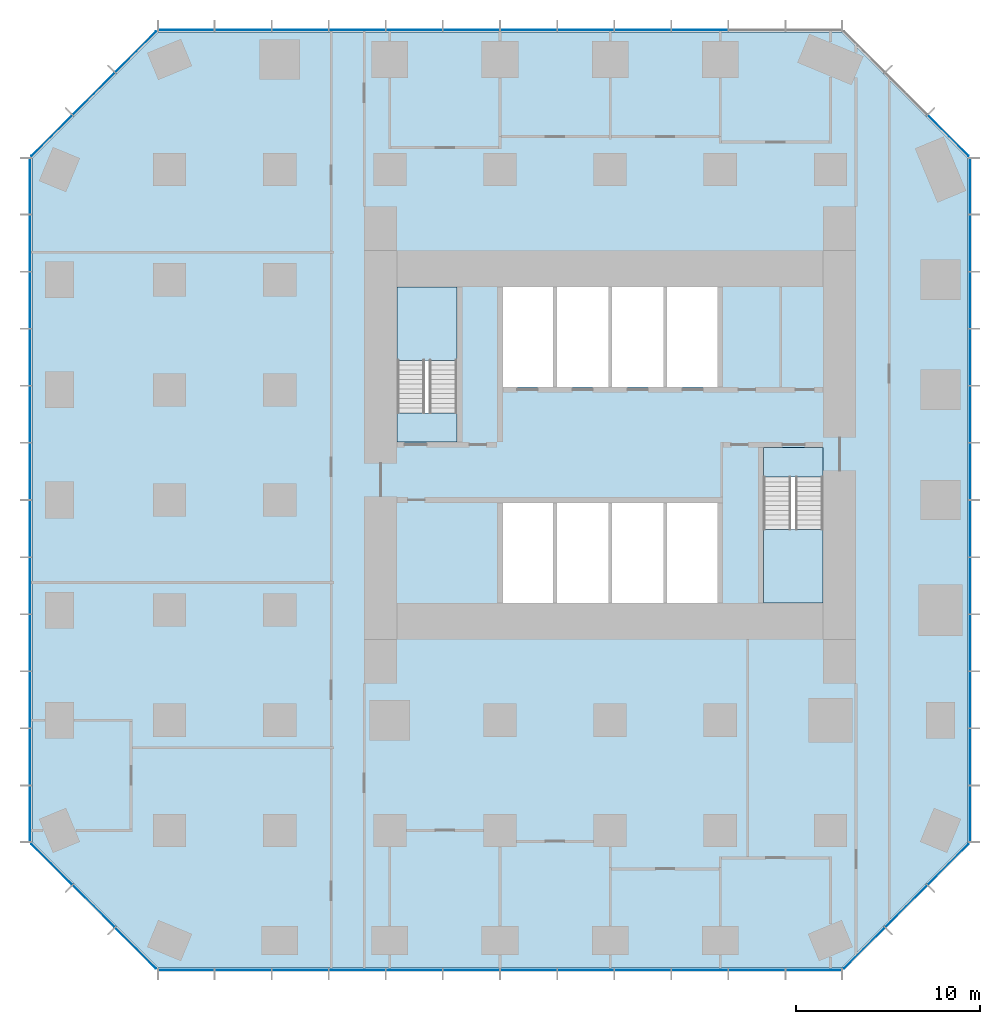
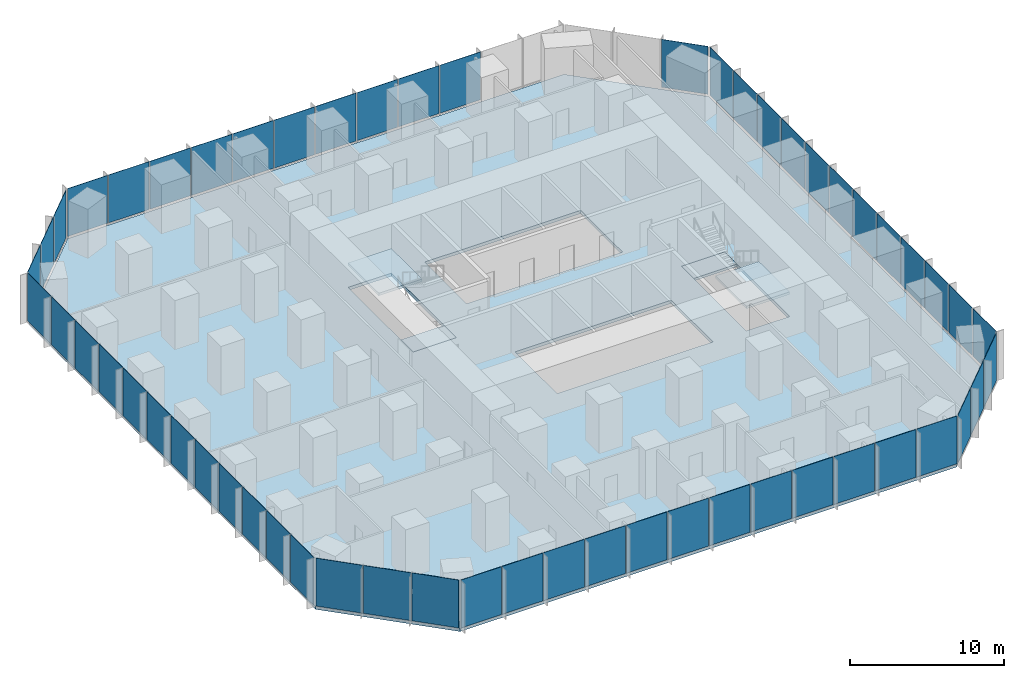
# One storey, part 7 of 11: 56 plates, 5 slabs, 10 elements without a shape of their own.
"""IFC4 building model written with IfcOpenShell, lengths in metres."""

from ifc_helpers import new_model, si_unit, direction, frame, origin, origin_2d, place, context, subcontext, project, spatial, polyline, rectangle, outline, extrude, material, layer, layer_set, type_object, element, aggregate, save


model = new_model("IFC4")

# Units and contexts
model_context = context("Model", 3, precision=1e-05, world=origin(), true_north=direction((0.0, 1.0)))
body_context = subcontext(model_context, "Body", "Model", "MODEL_VIEW")
ifc_project = project(units=[si_unit("LENGTHUNIT", "METRE"), si_unit("AREAUNIT", "SQUARE_METRE"), si_unit("VOLUMEUNIT", "CUBIC_METRE"), si_unit("PLANEANGLEUNIT", "RADIAN"), si_unit("MASSUNIT", "GRAM", prefix="KILO")], contexts=[model_context])

# Site, building, storey
site_placement = place(None, origin())
site = spatial("IfcSite", under=ifc_project, at=site_placement, CompositionType="ELEMENT")
building_placement = place(site_placement, origin())
building = spatial("IfcBuilding", under=site, at=building_placement, Name="Highveld Stack Headquarters", CompositionType="ELEMENT")
storey_placement = place(building_placement, frame((0.0, 0.0, 33.800048828125)))
storey = spatial("IfcBuildingStorey", under=building, at=storey_placement, Name="L07", CompositionType="ELEMENT", Elevation=33.800048828125)

# Curtain wall, plates
ifc_material_1 = material(Name="Aluminium bronze anodised", Category="aluminium")
ifc_layer_1 = layer(ifc_material_1, 0.199951171875)
ifc_layer_set_1 = layer_set([ifc_layer_1], Name="Aluminium bronze anodised")
curtain_wall_type_1 = type_object("IfcCurtainWallType", Name="CW1 TOWER UNITISED CURTAIN WALL", PredefinedType="NOTDEFINED", material=ifc_layer_set_1)
curtain_wall_1_placement = place(storey_placement, origin())
curtain_wall_1 = element("IfcCurtainWall", 1, at=curtain_wall_1_placement, inside=storey, type_object=curtain_wall_type_1, Name="Curtain wall CW1 L07 S", PredefinedType="NOTDEFINED")
ifc_material_2 = material(Name="Glass bronze tinted double glazed unit", Category="glass")
ifc_layer_2 = layer(ifc_material_2, 0.028076171875)
ifc_layer_set_2 = layer_set([ifc_layer_2], Name="Glass bronze tinted double glazed unit")
plate_type_1 = type_object("IfcPlateType", Name="CW1 PANEL BRONZE TINTED DOUBLE GLAZED UNIT", PredefinedType="CURTAIN_PANEL", material=ifc_layer_set_2)
plate_1_placement = place(storey_placement, frame((-17.09130859375, -25.60009765625, 0.10009765625), z_axis=(0.0, 0.0, 1.0), x_axis=(1.0, 0.0, 0.0)))
plate_1 = element("IfcPlate", 2, at=plate_1_placement, type_object=plate_type_1, Name="CW1 panel L07 1.1", PredefinedType="CURTAIN_PANEL", context=body_context, shape_type="SweptSolid", body=[
    extrude(rectangle(XDim=3.012939453125, YDim=0.028076171875, at=origin_2d()), origin(), (0.0, 0.0, 1.0), 3.800048828125),
])
plate_2_placement = place(storey_placement, frame((-13.9970703125, -25.60009765625, 0.10009765625), z_axis=(0.0, 0.0, 1.0), x_axis=(1.0, 0.0, 0.0)))
plate_2 = element("IfcPlate", 3, at=plate_2_placement, type_object=plate_type_1, Name="CW1 panel L07 2.1", PredefinedType="CURTAIN_PANEL", context=body_context, shape_type="SweptSolid", body=[
    extrude(rectangle(XDim=3.04541015625, YDim=0.028076171875, at=origin_2d()), origin(), (0.0, 0.0, 1.0), 3.800048828125),
])
plate_3_placement = place(storey_placement, frame((-10.88671875, -25.60009765625, 0.10009765625), z_axis=(0.0, 0.0, 1.0), x_axis=(1.0, 0.0, 0.0)))
plate_3 = element("IfcPlate", 4, at=plate_3_placement, type_object=plate_type_1, Name="CW1 panel L07 3.1", PredefinedType="CURTAIN_PANEL", context=body_context, shape_type="SweptSolid", body=[
    extrude(rectangle(XDim=3.04541015625, YDim=0.028076171875, at=origin_2d()), origin(), (0.0, 0.0, 1.0), 3.800048828125),
])
plate_4_placement = place(storey_placement, frame((-7.776123046875, -25.60009765625, 0.10009765625), z_axis=(0.0, 0.0, 1.0), x_axis=(1.0, 0.0, 0.0)))
plate_4 = element("IfcPlate", 5, at=plate_4_placement, type_object=plate_type_1, Name="CW1 panel L07 4.1", PredefinedType="CURTAIN_PANEL", context=body_context, shape_type="SweptSolid", body=[
    extrude(rectangle(XDim=3.04541015625, YDim=0.028076171875, at=origin_2d()), origin(), (0.0, 0.0, 1.0), 3.800048828125),
])
plate_5_placement = place(storey_placement, frame((-4.665771484375, -25.60009765625, 0.10009765625), z_axis=(0.0, 0.0, 1.0), x_axis=(1.0, 0.0, 0.0)))
plate_5 = element("IfcPlate", 6, at=plate_5_placement, type_object=plate_type_1, Name="CW1 panel L07 5.1", PredefinedType="CURTAIN_PANEL", context=body_context, shape_type="SweptSolid", body=[
    extrude(rectangle(XDim=3.04541015625, YDim=0.028076171875, at=origin_2d()), origin(), (0.0, 0.0, 1.0), 3.800048828125),
])
plate_6_placement = place(storey_placement, frame((-1.55517578125, -25.60009765625, 0.10009765625), z_axis=(0.0, 0.0, 1.0), x_axis=(1.0, 0.0, 0.0)))
plate_6 = element("IfcPlate", 7, at=plate_6_placement, type_object=plate_type_1, Name="CW1 panel L07 6.1", PredefinedType="CURTAIN_PANEL", context=body_context, shape_type="SweptSolid", body=[
    extrude(rectangle(XDim=3.04541015625, YDim=0.028076171875, at=origin_2d()), origin(), (0.0, 0.0, 1.0), 3.800048828125),
])
plate_7_placement = place(storey_placement, frame((1.55517578125, -25.60009765625, 0.10009765625), z_axis=(0.0, 0.0, 1.0), x_axis=(1.0, 0.0, 0.0)))
plate_7 = element("IfcPlate", 8, at=plate_7_placement, type_object=plate_type_1, Name="CW1 panel L07 7.1", PredefinedType="CURTAIN_PANEL", context=body_context, shape_type="SweptSolid", body=[
    extrude(rectangle(XDim=3.04541015625, YDim=0.028076171875, at=origin_2d()), origin(), (0.0, 0.0, 1.0), 3.800048828125),
])
plate_8_placement = place(storey_placement, frame((4.665771484375, -25.60009765625, 0.10009765625), z_axis=(0.0, 0.0, 1.0), x_axis=(1.0, 0.0, 0.0)))
plate_8 = element("IfcPlate", 9, at=plate_8_placement, type_object=plate_type_1, Name="CW1 panel L07 8.1", PredefinedType="CURTAIN_PANEL", context=body_context, shape_type="SweptSolid", body=[
    extrude(rectangle(XDim=3.04541015625, YDim=0.028076171875, at=origin_2d()), origin(), (0.0, 0.0, 1.0), 3.800048828125),
])
plate_9_placement = place(storey_placement, frame((7.776123046875, -25.60009765625, 0.10009765625), z_axis=(0.0, 0.0, 1.0), x_axis=(1.0, 0.0, 0.0)))
plate_9 = element("IfcPlate", 10, at=plate_9_placement, type_object=plate_type_1, Name="CW1 panel L07 9.1", PredefinedType="CURTAIN_PANEL", context=body_context, shape_type="SweptSolid", body=[
    extrude(rectangle(XDim=3.04541015625, YDim=0.028076171875, at=origin_2d()), origin(), (0.0, 0.0, 1.0), 3.800048828125),
])
plate_10_placement = place(storey_placement, frame((10.88671875, -25.60009765625, 0.10009765625), z_axis=(0.0, 0.0, 1.0), x_axis=(1.0, 0.0, 0.0)))
plate_10 = element("IfcPlate", 11, at=plate_10_placement, type_object=plate_type_1, Name="CW1 panel L07 10.1", PredefinedType="CURTAIN_PANEL", context=body_context, shape_type="SweptSolid", body=[
    extrude(rectangle(XDim=3.04541015625, YDim=0.028076171875, at=origin_2d()), origin(), (0.0, 0.0, 1.0), 3.800048828125),
])
plate_11_placement = place(storey_placement, frame((13.9970703125, -25.60009765625, 0.10009765625), z_axis=(0.0, 0.0, 1.0), x_axis=(1.0, 0.0, 0.0)))
plate_11 = element("IfcPlate", 12, at=plate_11_placement, type_object=plate_type_1, Name="CW1 panel L07 11.1", PredefinedType="CURTAIN_PANEL", context=body_context, shape_type="SweptSolid", body=[
    extrude(rectangle(XDim=3.04541015625, YDim=0.028076171875, at=origin_2d()), origin(), (0.0, 0.0, 1.0), 3.800048828125),
])
plate_12_placement = place(storey_placement, frame((17.09130859375, -25.60009765625, 0.10009765625), z_axis=(0.0, 0.0, 1.0), x_axis=(1.0, 0.0, 0.0)))
plate_12 = element("IfcPlate", 13, at=plate_12_placement, type_object=plate_type_1, Name="CW1 panel L07 12.1", PredefinedType="CURTAIN_PANEL", context=body_context, shape_type="SweptSolid", body=[
    extrude(rectangle(XDim=3.012939453125, YDim=0.028076171875, at=origin_2d()), origin(), (0.0, 0.0, 1.0), 3.800048828125),
])
aggregate(curtain_wall_1, [plate_1, plate_2, plate_3, plate_4, plate_5, plate_6, plate_7, plate_8, plate_9, plate_10, plate_11, plate_12])

curtain_wall_2_placement = place(storey_placement, origin())
curtain_wall_2 = element("IfcCurtainWall", 14, at=curtain_wall_2_placement, inside=storey, type_object=curtain_wall_type_1, Name="Curtain wall CW1 L07 E", PredefinedType="NOTDEFINED")
plate_13_placement = place(storey_placement, frame((25.60009765625, -17.09130859375, 0.10009765625), z_axis=(0.0, 0.0, 1.0), x_axis=(0.0, 1.0, 0.0)))
plate_13 = element("IfcPlate", 15, at=plate_13_placement, type_object=plate_type_1, Name="CW1 panel L07 1.1", PredefinedType="CURTAIN_PANEL", context=body_context, shape_type="SweptSolid", body=[
    extrude(rectangle(XDim=3.012939453125, YDim=0.028076171875, at=origin_2d()), origin(), (0.0, 0.0, 1.0), 3.800048828125),
])
plate_14_placement = place(storey_placement, frame((25.60009765625, -13.9970703125, 0.10009765625), z_axis=(0.0, 0.0, 1.0), x_axis=(0.0, 1.0, 0.0)))
plate_14 = element("IfcPlate", 16, at=plate_14_placement, type_object=plate_type_1, Name="CW1 panel L07 2.1", PredefinedType="CURTAIN_PANEL", context=body_context, shape_type="SweptSolid", body=[
    extrude(rectangle(XDim=3.04541015625, YDim=0.028076171875, at=origin_2d()), origin(), (0.0, 0.0, 1.0), 3.800048828125),
])
plate_15_placement = place(storey_placement, frame((25.60009765625, -10.88671875, 0.10009765625), z_axis=(0.0, 0.0, 1.0), x_axis=(0.0, 1.0, 0.0)))
plate_15 = element("IfcPlate", 17, at=plate_15_placement, type_object=plate_type_1, Name="CW1 panel L07 3.1", PredefinedType="CURTAIN_PANEL", context=body_context, shape_type="SweptSolid", body=[
    extrude(rectangle(XDim=3.04541015625, YDim=0.028076171875, at=origin_2d()), origin(), (0.0, 0.0, 1.0), 3.800048828125),
])
plate_16_placement = place(storey_placement, frame((25.60009765625, -7.776123046875, 0.10009765625), z_axis=(0.0, 0.0, 1.0), x_axis=(0.0, 1.0, 0.0)))
plate_16 = element("IfcPlate", 18, at=plate_16_placement, type_object=plate_type_1, Name="CW1 panel L07 4.1", PredefinedType="CURTAIN_PANEL", context=body_context, shape_type="SweptSolid", body=[
    extrude(rectangle(XDim=3.04541015625, YDim=0.028076171875, at=origin_2d()), origin(), (0.0, 0.0, 1.0), 3.800048828125),
])
plate_17_placement = place(storey_placement, frame((25.60009765625, -4.665771484375, 0.10009765625), z_axis=(0.0, 0.0, 1.0), x_axis=(0.0, 1.0, 0.0)))
plate_17 = element("IfcPlate", 19, at=plate_17_placement, type_object=plate_type_1, Name="CW1 panel L07 5.1", PredefinedType="CURTAIN_PANEL", context=body_context, shape_type="SweptSolid", body=[
    extrude(rectangle(XDim=3.04541015625, YDim=0.028076171875, at=origin_2d()), origin(), (0.0, 0.0, 1.0), 3.800048828125),
])
plate_18_placement = place(storey_placement, frame((25.60009765625, -1.55517578125, 0.10009765625), z_axis=(0.0, 0.0, 1.0), x_axis=(0.0, 1.0, 0.0)))
plate_18 = element("IfcPlate", 20, at=plate_18_placement, type_object=plate_type_1, Name="CW1 panel L07 6.1", PredefinedType="CURTAIN_PANEL", context=body_context, shape_type="SweptSolid", body=[
    extrude(rectangle(XDim=3.04541015625, YDim=0.028076171875, at=origin_2d()), origin(), (0.0, 0.0, 1.0), 3.800048828125),
])
plate_19_placement = place(storey_placement, frame((25.60009765625, 1.55517578125, 0.10009765625), z_axis=(0.0, 0.0, 1.0), x_axis=(0.0, 1.0, 0.0)))
plate_19 = element("IfcPlate", 21, at=plate_19_placement, type_object=plate_type_1, Name="CW1 panel L07 7.1", PredefinedType="CURTAIN_PANEL", context=body_context, shape_type="SweptSolid", body=[
    extrude(rectangle(XDim=3.04541015625, YDim=0.028076171875, at=origin_2d()), origin(), (0.0, 0.0, 1.0), 3.800048828125),
])
plate_20_placement = place(storey_placement, frame((25.60009765625, 4.665771484375, 0.10009765625), z_axis=(0.0, 0.0, 1.0), x_axis=(0.0, 1.0, 0.0)))
plate_20 = element("IfcPlate", 22, at=plate_20_placement, type_object=plate_type_1, Name="CW1 panel L07 8.1", PredefinedType="CURTAIN_PANEL", context=body_context, shape_type="SweptSolid", body=[
    extrude(rectangle(XDim=3.04541015625, YDim=0.028076171875, at=origin_2d()), origin(), (0.0, 0.0, 1.0), 3.800048828125),
])
plate_21_placement = place(storey_placement, frame((25.60009765625, 7.776123046875, 0.10009765625), z_axis=(0.0, 0.0, 1.0), x_axis=(0.0, 1.0, 0.0)))
plate_21 = element("IfcPlate", 23, at=plate_21_placement, type_object=plate_type_1, Name="CW1 panel L07 9.1", PredefinedType="CURTAIN_PANEL", context=body_context, shape_type="SweptSolid", body=[
    extrude(rectangle(XDim=3.04541015625, YDim=0.028076171875, at=origin_2d()), origin(), (0.0, 0.0, 1.0), 3.800048828125),
])
plate_22_placement = place(storey_placement, frame((25.60009765625, 10.88671875, 0.10009765625), z_axis=(0.0, 0.0, 1.0), x_axis=(0.0, 1.0, 0.0)))
plate_22 = element("IfcPlate", 24, at=plate_22_placement, type_object=plate_type_1, Name="CW1 panel L07 10.1", PredefinedType="CURTAIN_PANEL", context=body_context, shape_type="SweptSolid", body=[
    extrude(rectangle(XDim=3.04541015625, YDim=0.028076171875, at=origin_2d()), origin(), (0.0, 0.0, 1.0), 3.800048828125),
])
plate_23_placement = place(storey_placement, frame((25.60009765625, 13.9970703125, 0.10009765625), z_axis=(0.0, 0.0, 1.0), x_axis=(0.0, 1.0, 0.0)))
plate_23 = element("IfcPlate", 25, at=plate_23_placement, type_object=plate_type_1, Name="CW1 panel L07 11.1", PredefinedType="CURTAIN_PANEL", context=body_context, shape_type="SweptSolid", body=[
    extrude(rectangle(XDim=3.04541015625, YDim=0.028076171875, at=origin_2d()), origin(), (0.0, 0.0, 1.0), 3.800048828125),
])
plate_24_placement = place(storey_placement, frame((25.60009765625, 17.09130859375, 0.10009765625), z_axis=(0.0, 0.0, 1.0), x_axis=(0.0, 1.0, 0.0)))
plate_24 = element("IfcPlate", 26, at=plate_24_placement, type_object=plate_type_1, Name="CW1 panel L07 12.1", PredefinedType="CURTAIN_PANEL", context=body_context, shape_type="SweptSolid", body=[
    extrude(rectangle(XDim=3.012939453125, YDim=0.028076171875, at=origin_2d()), origin(), (0.0, 0.0, 1.0), 3.800048828125),
])
aggregate(curtain_wall_2, [plate_13, plate_14, plate_15, plate_16, plate_17, plate_18, plate_19, plate_20, plate_21, plate_22, plate_23, plate_24])

curtain_wall_3_placement = place(storey_placement, origin())
curtain_wall_3 = element("IfcCurtainWall", 27, at=curtain_wall_3_placement, inside=storey, type_object=curtain_wall_type_1, Name="Curtain wall CW1 L07 N", PredefinedType="NOTDEFINED")
plate_25_placement = place(storey_placement, frame((10.88671875, 25.60009765625, 0.10009765625), z_axis=(0.0, 0.0, 1.0), x_axis=(-1.0, 0.0, 0.0)))
plate_25 = element("IfcPlate", 28, at=plate_25_placement, type_object=plate_type_1, Name="CW1 panel L07 3.1", PredefinedType="CURTAIN_PANEL", context=body_context, shape_type="SweptSolid", body=[
    extrude(rectangle(XDim=3.04541015625, YDim=0.028076171875, at=origin_2d()), origin(), (0.0, 0.0, 1.0), 3.800048828125),
])
plate_26_placement = place(storey_placement, frame((7.776123046875, 25.60009765625, 0.10009765625), z_axis=(0.0, 0.0, 1.0), x_axis=(-1.0, 0.0, 0.0)))
plate_26 = element("IfcPlate", 29, at=plate_26_placement, type_object=plate_type_1, Name="CW1 panel L07 4.1", PredefinedType="CURTAIN_PANEL", context=body_context, shape_type="SweptSolid", body=[
    extrude(rectangle(XDim=3.04541015625, YDim=0.028076171875, at=origin_2d()), origin(), (0.0, 0.0, 1.0), 3.800048828125),
])
plate_27_placement = place(storey_placement, frame((4.665771484375, 25.60009765625, 0.10009765625), z_axis=(0.0, 0.0, 1.0), x_axis=(-1.0, 0.0, 0.0)))
plate_27 = element("IfcPlate", 30, at=plate_27_placement, type_object=plate_type_1, Name="CW1 panel L07 5.1", PredefinedType="CURTAIN_PANEL", context=body_context, shape_type="SweptSolid", body=[
    extrude(rectangle(XDim=3.04541015625, YDim=0.028076171875, at=origin_2d()), origin(), (0.0, 0.0, 1.0), 3.800048828125),
])
plate_28_placement = place(storey_placement, frame((1.55517578125, 25.60009765625, 0.10009765625), z_axis=(0.0, 0.0, 1.0), x_axis=(-1.0, 0.0, 0.0)))
plate_28 = element("IfcPlate", 31, at=plate_28_placement, type_object=plate_type_1, Name="CW1 panel L07 6.1", PredefinedType="CURTAIN_PANEL", context=body_context, shape_type="SweptSolid", body=[
    extrude(rectangle(XDim=3.04541015625, YDim=0.028076171875, at=origin_2d()), origin(), (0.0, 0.0, 1.0), 3.800048828125),
])
plate_29_placement = place(storey_placement, frame((-1.55517578125, 25.60009765625, 0.10009765625), z_axis=(0.0, 0.0, 1.0), x_axis=(-1.0, 0.0, 0.0)))
plate_29 = element("IfcPlate", 32, at=plate_29_placement, type_object=plate_type_1, Name="CW1 panel L07 7.1", PredefinedType="CURTAIN_PANEL", context=body_context, shape_type="SweptSolid", body=[
    extrude(rectangle(XDim=3.04541015625, YDim=0.028076171875, at=origin_2d()), origin(), (0.0, 0.0, 1.0), 3.800048828125),
])
plate_30_placement = place(storey_placement, frame((-4.665771484375, 25.60009765625, 0.10009765625), z_axis=(0.0, 0.0, 1.0), x_axis=(-1.0, 0.0, 0.0)))
plate_30 = element("IfcPlate", 33, at=plate_30_placement, type_object=plate_type_1, Name="CW1 panel L07 8.1", PredefinedType="CURTAIN_PANEL", context=body_context, shape_type="SweptSolid", body=[
    extrude(rectangle(XDim=3.04541015625, YDim=0.028076171875, at=origin_2d()), origin(), (0.0, 0.0, 1.0), 3.800048828125),
])
plate_31_placement = place(storey_placement, frame((-7.776123046875, 25.60009765625, 0.10009765625), z_axis=(0.0, 0.0, 1.0), x_axis=(-1.0, 0.0, 0.0)))
plate_31 = element("IfcPlate", 34, at=plate_31_placement, type_object=plate_type_1, Name="CW1 panel L07 9.1", PredefinedType="CURTAIN_PANEL", context=body_context, shape_type="SweptSolid", body=[
    extrude(rectangle(XDim=3.04541015625, YDim=0.028076171875, at=origin_2d()), origin(), (0.0, 0.0, 1.0), 3.800048828125),
])
plate_32_placement = place(storey_placement, frame((-10.88671875, 25.60009765625, 0.10009765625), z_axis=(0.0, 0.0, 1.0), x_axis=(-1.0, 0.0, 0.0)))
plate_32 = element("IfcPlate", 35, at=plate_32_placement, type_object=plate_type_1, Name="CW1 panel L07 10.1", PredefinedType="CURTAIN_PANEL", context=body_context, shape_type="SweptSolid", body=[
    extrude(rectangle(XDim=3.04541015625, YDim=0.028076171875, at=origin_2d()), origin(), (0.0, 0.0, 1.0), 3.800048828125),
])
plate_33_placement = place(storey_placement, frame((-13.9970703125, 25.60009765625, 0.10009765625), z_axis=(0.0, 0.0, 1.0), x_axis=(-1.0, 0.0, 0.0)))
plate_33 = element("IfcPlate", 36, at=plate_33_placement, type_object=plate_type_1, Name="CW1 panel L07 11.1", PredefinedType="CURTAIN_PANEL", context=body_context, shape_type="SweptSolid", body=[
    extrude(rectangle(XDim=3.04541015625, YDim=0.028076171875, at=origin_2d()), origin(), (0.0, 0.0, 1.0), 3.800048828125),
])
plate_34_placement = place(storey_placement, frame((-17.09130859375, 25.60009765625, 0.10009765625), z_axis=(0.0, 0.0, 1.0), x_axis=(-1.0, 0.0, 0.0)))
plate_34 = element("IfcPlate", 37, at=plate_34_placement, type_object=plate_type_1, Name="CW1 panel L07 12.1", PredefinedType="CURTAIN_PANEL", context=body_context, shape_type="SweptSolid", body=[
    extrude(rectangle(XDim=3.012939453125, YDim=0.028076171875, at=origin_2d()), origin(), (0.0, 0.0, 1.0), 3.800048828125),
])
aggregate(curtain_wall_3, [plate_25, plate_26, plate_27, plate_28, plate_29, plate_30, plate_31, plate_32, plate_33, plate_34])

curtain_wall_4_placement = place(storey_placement, origin())
curtain_wall_4 = element("IfcCurtainWall", 38, at=curtain_wall_4_placement, inside=storey, type_object=curtain_wall_type_1, Name="Curtain wall CW1 L07 W", PredefinedType="NOTDEFINED")
plate_35_placement = place(storey_placement, frame((-25.60009765625, 17.09130859375, 0.10009765625), z_axis=(0.0, 0.0, 1.0), x_axis=(0.0, -1.0, 0.0)))
plate_35 = element("IfcPlate", 39, at=plate_35_placement, type_object=plate_type_1, Name="CW1 panel L07 1.1", PredefinedType="CURTAIN_PANEL", context=body_context, shape_type="SweptSolid", body=[
    extrude(rectangle(XDim=3.012939453125, YDim=0.028076171875, at=origin_2d()), origin(), (0.0, 0.0, 1.0), 3.800048828125),
])
plate_36_placement = place(storey_placement, frame((-25.60009765625, 13.9970703125, 0.10009765625), z_axis=(0.0, 0.0, 1.0), x_axis=(0.0, -1.0, 0.0)))
plate_36 = element("IfcPlate", 40, at=plate_36_placement, type_object=plate_type_1, Name="CW1 panel L07 2.1", PredefinedType="CURTAIN_PANEL", context=body_context, shape_type="SweptSolid", body=[
    extrude(rectangle(XDim=3.04541015625, YDim=0.028076171875, at=origin_2d()), origin(), (0.0, 0.0, 1.0), 3.800048828125),
])
plate_37_placement = place(storey_placement, frame((-25.60009765625, 10.88671875, 0.10009765625), z_axis=(0.0, 0.0, 1.0), x_axis=(0.0, -1.0, 0.0)))
plate_37 = element("IfcPlate", 41, at=plate_37_placement, type_object=plate_type_1, Name="CW1 panel L07 3.1", PredefinedType="CURTAIN_PANEL", context=body_context, shape_type="SweptSolid", body=[
    extrude(rectangle(XDim=3.04541015625, YDim=0.028076171875, at=origin_2d()), origin(), (0.0, 0.0, 1.0), 3.800048828125),
])
plate_38_placement = place(storey_placement, frame((-25.60009765625, 7.776123046875, 0.10009765625), z_axis=(0.0, 0.0, 1.0), x_axis=(0.0, -1.0, 0.0)))
plate_38 = element("IfcPlate", 42, at=plate_38_placement, type_object=plate_type_1, Name="CW1 panel L07 4.1", PredefinedType="CURTAIN_PANEL", context=body_context, shape_type="SweptSolid", body=[
    extrude(rectangle(XDim=3.04541015625, YDim=0.028076171875, at=origin_2d()), origin(), (0.0, 0.0, 1.0), 3.800048828125),
])
plate_39_placement = place(storey_placement, frame((-25.60009765625, 4.665771484375, 0.10009765625), z_axis=(0.0, 0.0, 1.0), x_axis=(0.0, -1.0, 0.0)))
plate_39 = element("IfcPlate", 43, at=plate_39_placement, type_object=plate_type_1, Name="CW1 panel L07 5.1", PredefinedType="CURTAIN_PANEL", context=body_context, shape_type="SweptSolid", body=[
    extrude(rectangle(XDim=3.04541015625, YDim=0.028076171875, at=origin_2d()), origin(), (0.0, 0.0, 1.0), 3.800048828125),
])
plate_40_placement = place(storey_placement, frame((-25.60009765625, 1.55517578125, 0.10009765625), z_axis=(0.0, 0.0, 1.0), x_axis=(0.0, -1.0, 0.0)))
plate_40 = element("IfcPlate", 44, at=plate_40_placement, type_object=plate_type_1, Name="CW1 panel L07 6.1", PredefinedType="CURTAIN_PANEL", context=body_context, shape_type="SweptSolid", body=[
    extrude(rectangle(XDim=3.04541015625, YDim=0.028076171875, at=origin_2d()), origin(), (0.0, 0.0, 1.0), 3.800048828125),
])
plate_41_placement = place(storey_placement, frame((-25.60009765625, -1.55517578125, 0.10009765625), z_axis=(0.0, 0.0, 1.0), x_axis=(0.0, -1.0, 0.0)))
plate_41 = element("IfcPlate", 45, at=plate_41_placement, type_object=plate_type_1, Name="CW1 panel L07 7.1", PredefinedType="CURTAIN_PANEL", context=body_context, shape_type="SweptSolid", body=[
    extrude(rectangle(XDim=3.04541015625, YDim=0.028076171875, at=origin_2d()), origin(), (0.0, 0.0, 1.0), 3.800048828125),
])
plate_42_placement = place(storey_placement, frame((-25.60009765625, -4.665771484375, 0.10009765625), z_axis=(0.0, 0.0, 1.0), x_axis=(0.0, -1.0, 0.0)))
plate_42 = element("IfcPlate", 46, at=plate_42_placement, type_object=plate_type_1, Name="CW1 panel L07 8.1", PredefinedType="CURTAIN_PANEL", context=body_context, shape_type="SweptSolid", body=[
    extrude(rectangle(XDim=3.04541015625, YDim=0.028076171875, at=origin_2d()), origin(), (0.0, 0.0, 1.0), 3.800048828125),
])
plate_43_placement = place(storey_placement, frame((-25.60009765625, -7.776123046875, 0.10009765625), z_axis=(0.0, 0.0, 1.0), x_axis=(0.0, -1.0, 0.0)))
plate_43 = element("IfcPlate", 47, at=plate_43_placement, type_object=plate_type_1, Name="CW1 panel L07 9.1", PredefinedType="CURTAIN_PANEL", context=body_context, shape_type="SweptSolid", body=[
    extrude(rectangle(XDim=3.04541015625, YDim=0.028076171875, at=origin_2d()), origin(), (0.0, 0.0, 1.0), 3.800048828125),
])
plate_44_placement = place(storey_placement, frame((-25.60009765625, -10.88671875, 0.10009765625), z_axis=(0.0, 0.0, 1.0), x_axis=(0.0, -1.0, 0.0)))
plate_44 = element("IfcPlate", 48, at=plate_44_placement, type_object=plate_type_1, Name="CW1 panel L07 10.1", PredefinedType="CURTAIN_PANEL", context=body_context, shape_type="SweptSolid", body=[
    extrude(rectangle(XDim=3.04541015625, YDim=0.028076171875, at=origin_2d()), origin(), (0.0, 0.0, 1.0), 3.800048828125),
])
plate_45_placement = place(storey_placement, frame((-25.60009765625, -13.9970703125, 0.10009765625), z_axis=(0.0, 0.0, 1.0), x_axis=(0.0, -1.0, 0.0)))
plate_45 = element("IfcPlate", 49, at=plate_45_placement, type_object=plate_type_1, Name="CW1 panel L07 11.1", PredefinedType="CURTAIN_PANEL", context=body_context, shape_type="SweptSolid", body=[
    extrude(rectangle(XDim=3.04541015625, YDim=0.028076171875, at=origin_2d()), origin(), (0.0, 0.0, 1.0), 3.800048828125),
])
plate_46_placement = place(storey_placement, frame((-25.60009765625, -17.09130859375, 0.10009765625), z_axis=(0.0, 0.0, 1.0), x_axis=(0.0, -1.0, 0.0)))
plate_46 = element("IfcPlate", 50, at=plate_46_placement, type_object=plate_type_1, Name="CW1 panel L07 12.1", PredefinedType="CURTAIN_PANEL", context=body_context, shape_type="SweptSolid", body=[
    extrude(rectangle(XDim=3.012939453125, YDim=0.028076171875, at=origin_2d()), origin(), (0.0, 0.0, 1.0), 3.800048828125),
])
aggregate(curtain_wall_4, [plate_35, plate_36, plate_37, plate_38, plate_39, plate_40, plate_41, plate_42, plate_43, plate_44, plate_45, plate_46])

ifc_material_3 = material(Name="Aluminium bronze anodised", Category="aluminium")
ifc_layer_3 = layer(ifc_material_3, 0.199951171875)
ifc_layer_set_3 = layer_set([ifc_layer_3], Name="Aluminium bronze anodised")
curtain_wall_type_2 = type_object("IfcCurtainWallType", Name="CW2 TOWER CHAMFER UNITISED CURTAIN WALL", PredefinedType="NOTDEFINED", material=ifc_layer_set_3)
curtain_wall_5_placement = place(storey_placement, origin())
curtain_wall_5 = element("IfcCurtainWall", 51, at=curtain_wall_5_placement, inside=storey, type_object=curtain_wall_type_2, Name="Curtain wall CW2 L07 SE", PredefinedType="NOTDEFINED")
ifc_material_4 = material(Name="Glass bronze tinted double glazed unit", Category="glass")
ifc_layer_4 = layer(ifc_material_4, 0.028076171875)
ifc_layer_set_4 = layer_set([ifc_layer_4], Name="Glass bronze tinted double glazed unit")
plate_type_2 = type_object("IfcPlateType", Name="CW2 PANEL BRONZE TINTED DOUBLE GLAZED UNIT", PredefinedType="CURTAIN_PANEL", material=ifc_layer_set_4)
plate_47_placement = place(storey_placement, frame((19.8427734375, -24.419921875, 0.10009765625), z_axis=(0.0, 0.0, 1.0), x_axis=(0.707106781187, 0.707106781187, 0.0)))
plate_47 = element("IfcPlate", 52, at=plate_47_placement, type_object=plate_type_2, Name="CW2 panel L07 1.1", PredefinedType="CURTAIN_PANEL", context=body_context, shape_type="SweptSolid", body=[
    extrude(rectangle(XDim=3.1376953125, YDim=0.028076171875, at=origin_2d()), origin(), (0.0, 0.0, 1.0), 3.800048828125),
])
plate_48_placement = place(storey_placement, frame((22.13134765625, -22.13134765625, 0.10009765625), z_axis=(0.0, 0.0, 1.0), x_axis=(0.707106781187, 0.707106781187, 0.0)))
plate_48 = element("IfcPlate", 53, at=plate_48_placement, type_object=plate_type_2, Name="CW2 panel L07 2.1", PredefinedType="CURTAIN_PANEL", context=body_context, shape_type="SweptSolid", body=[
    extrude(rectangle(XDim=3.205322265625, YDim=0.028076171875, at=origin_2d()), origin(), (0.0, 0.0, 1.0), 3.800048828125),
])
plate_49_placement = place(storey_placement, frame((24.419921875, -19.8427734375, 0.10009765625), z_axis=(0.0, 0.0, 1.0), x_axis=(0.707106781187, 0.707106781187, 0.0)))
plate_49 = element("IfcPlate", 54, at=plate_49_placement, type_object=plate_type_2, Name="CW2 panel L07 3.1", PredefinedType="CURTAIN_PANEL", context=body_context, shape_type="SweptSolid", body=[
    extrude(rectangle(XDim=3.1376953125, YDim=0.028076171875, at=origin_2d()), origin(), (0.0, 0.0, 1.0), 3.800048828125),
])
aggregate(curtain_wall_5, [plate_47, plate_48, plate_49])

# Curtain wall, plate
curtain_wall_6_placement = place(storey_placement, origin())
curtain_wall_6 = element("IfcCurtainWall", 55, at=curtain_wall_6_placement, inside=storey, type_object=curtain_wall_type_2, Name="Curtain wall CW2 L07 NE", PredefinedType="NOTDEFINED")
plate_50_placement = place(storey_placement, frame((24.419921875, 19.8427734375, 0.10009765625), z_axis=(0.0, 0.0, 1.0), x_axis=(-0.707106781187, 0.707106781187, 0.0)))
plate_50 = element("IfcPlate", 56, at=plate_50_placement, type_object=plate_type_2, Name="CW2 panel L07 1.1", PredefinedType="CURTAIN_PANEL", context=body_context, shape_type="SweptSolid", body=[
    extrude(rectangle(XDim=3.1376953125, YDim=0.028076171875, at=origin_2d()), origin(), (0.0, 0.0, 1.0), 3.800048828125),
])
aggregate(curtain_wall_6, [plate_50])

# Curtain wall, plates
curtain_wall_7_placement = place(storey_placement, origin())
curtain_wall_7 = element("IfcCurtainWall", 57, at=curtain_wall_7_placement, inside=storey, type_object=curtain_wall_type_2, Name="Curtain wall CW2 L07 NW", PredefinedType="NOTDEFINED")
plate_51_placement = place(storey_placement, frame((-19.8427734375, 24.419921875, 0.10009765625), z_axis=(0.0, 0.0, 1.0), x_axis=(-0.707106781187, -0.707106781187, 0.0)))
plate_51 = element("IfcPlate", 58, at=plate_51_placement, type_object=plate_type_2, Name="CW2 panel L07 1.1", PredefinedType="CURTAIN_PANEL", context=body_context, shape_type="SweptSolid", body=[
    extrude(rectangle(XDim=3.1376953125, YDim=0.028076171875, at=origin_2d()), origin(), (0.0, 0.0, 1.0), 3.800048828125),
])
plate_52_placement = place(storey_placement, frame((-22.13134765625, 22.13134765625, 0.10009765625), z_axis=(0.0, 0.0, 1.0), x_axis=(-0.707106781187, -0.707106781187, 0.0)))
plate_52 = element("IfcPlate", 59, at=plate_52_placement, type_object=plate_type_2, Name="CW2 panel L07 2.1", PredefinedType="CURTAIN_PANEL", context=body_context, shape_type="SweptSolid", body=[
    extrude(rectangle(XDim=3.205322265625, YDim=0.028076171875, at=origin_2d()), origin(), (0.0, 0.0, 1.0), 3.800048828125),
])
plate_53_placement = place(storey_placement, frame((-24.419921875, 19.8427734375, 0.10009765625), z_axis=(0.0, 0.0, 1.0), x_axis=(-0.707106781187, -0.707106781187, 0.0)))
plate_53 = element("IfcPlate", 60, at=plate_53_placement, type_object=plate_type_2, Name="CW2 panel L07 3.1", PredefinedType="CURTAIN_PANEL", context=body_context, shape_type="SweptSolid", body=[
    extrude(rectangle(XDim=3.1376953125, YDim=0.028076171875, at=origin_2d()), origin(), (0.0, 0.0, 1.0), 3.800048828125),
])
aggregate(curtain_wall_7, [plate_51, plate_52, plate_53])

curtain_wall_8_placement = place(storey_placement, origin())
curtain_wall_8 = element("IfcCurtainWall", 61, at=curtain_wall_8_placement, inside=storey, type_object=curtain_wall_type_2, Name="Curtain wall CW2 L07 SW", PredefinedType="NOTDEFINED")
plate_54_placement = place(storey_placement, frame((-24.419921875, -19.8427734375, 0.10009765625), z_axis=(0.0, 0.0, 1.0), x_axis=(0.707106781187, -0.707106781187, 0.0)))
plate_54 = element("IfcPlate", 62, at=plate_54_placement, type_object=plate_type_2, Name="CW2 panel L07 1.1", PredefinedType="CURTAIN_PANEL", context=body_context, shape_type="SweptSolid", body=[
    extrude(rectangle(XDim=3.1376953125, YDim=0.028076171875, at=origin_2d()), origin(), (0.0, 0.0, 1.0), 3.800048828125),
])
plate_55_placement = place(storey_placement, frame((-22.13134765625, -22.13134765625, 0.10009765625), z_axis=(0.0, 0.0, 1.0), x_axis=(0.707106781187, -0.707106781187, 0.0)))
plate_55 = element("IfcPlate", 63, at=plate_55_placement, type_object=plate_type_2, Name="CW2 panel L07 2.1", PredefinedType="CURTAIN_PANEL", context=body_context, shape_type="SweptSolid", body=[
    extrude(rectangle(XDim=3.205322265625, YDim=0.028076171875, at=origin_2d()), origin(), (0.0, 0.0, 1.0), 3.800048828125),
])
plate_56_placement = place(storey_placement, frame((-19.8427734375, -24.419921875, 0.10009765625), z_axis=(0.0, 0.0, 1.0), x_axis=(0.707106781187, -0.707106781187, 0.0)))
plate_56 = element("IfcPlate", 64, at=plate_56_placement, type_object=plate_type_2, Name="CW2 panel L07 3.1", PredefinedType="CURTAIN_PANEL", context=body_context, shape_type="SweptSolid", body=[
    extrude(rectangle(XDim=3.1376953125, YDim=0.028076171875, at=origin_2d()), origin(), (0.0, 0.0, 1.0), 3.800048828125),
])
aggregate(curtain_wall_8, [plate_54, plate_55, plate_56])

# Slab
ifc_material_5 = material(Name="Concrete C60/75", Category="concrete")
ifc_layer_5 = layer(ifc_material_5, 0.25)
ifc_layer_set_5 = layer_set([ifc_layer_5], Name="Concrete C60/75")
slab_type_1 = type_object("IfcSlabType", Name="PT FLAT SLAB 250", PredefinedType="FLOOR", material=ifc_layer_set_5)
slab_1_placement = place(storey_placement, frame((0.0, 0.0, -0.25)))
element("IfcSlab", 65, at=slab_1_placement, inside=storey, type_object=slab_type_1, Name="Floor slab L07", PredefinedType="FLOOR", context=body_context, shape_type="SweptSolid", body=[
    extrude(outline(polyline([(-18.621337890625, -25.5), (18.621337890625, -25.5), (25.5, -18.621337890625), (25.5, 18.621337890625), (18.621337890625, 25.5), (-18.621337890625, 25.5), (-25.5, 18.621337890625), (-25.5, -18.621337890625), (-18.621337890625, -25.5)]), holes=[polyline([(0.14990234375, 6.14990234375), (11.85009765625, 6.14990234375), (11.85009765625, 11.60009765625), (0.14990234375, 11.60009765625), (0.14990234375, 6.14990234375)]), polyline([(0.14990234375, -5.60009765625), (11.85009765625, -5.60009765625), (11.85009765625, -0.14990234375), (0.14990234375, -0.14990234375), (0.14990234375, -5.60009765625)]), polyline([(-5.60009765625, 3.14990234375), (-2.35009765625, 3.14990234375), (-2.35009765625, 11.60009765625), (-5.60009765625, 11.60009765625), (-5.60009765625, 3.14990234375)]), polyline([(14.35009765625, -5.60009765625), (17.60009765625, -5.60009765625), (17.60009765625, 2.85009765625), (14.35009765625, 2.85009765625), (14.35009765625, -5.60009765625)])]), origin(), (0.0, 0.0, 1.0), 0.25),
])

# Stair, slabs
ifc_material_6 = material(Name="Concrete C40/50, precast", Category="concrete")
stair_type_1 = type_object("IfcStairType", Name="STAIR S1 HALF TURN 1500", PredefinedType="HALF_TURN_STAIR", material=ifc_material_6)
stair_1_placement = place(storey_placement, origin())
stair_1 = element("IfcStair", 66, at=stair_1_placement, inside=storey, type_object=stair_type_1, Name="Stair S1 L07", PredefinedType="HALF_TURN_STAIR")
ifc_material_7 = material(Name="Concrete C40/50, precast", Category="concrete")
ifc_layer_6 = layer(ifc_material_7, 0.199951171875)
ifc_layer_set_6 = layer_set([ifc_layer_6], Name="Concrete C40/50, precast")
slab_type_2 = type_object("IfcSlabType", Name="STAIR LANDING 200", PredefinedType="LANDING", material=ifc_layer_set_6)
slab_2_placement = place(storey_placement, frame((0.0, 0.0, 1.75)))
slab_2 = element("IfcSlab", 67, at=slab_2_placement, type_object=slab_type_2, Name="S1 landing 1", PredefinedType="LANDING", context=body_context, shape_type="SweptSolid", body=[
    extrude(outline(polyline([(-5.60009765625, 7.610107421875), (-2.35009765625, 7.610107421875), (-2.35009765625, 11.60009765625), (-5.60009765625, 11.60009765625), (-5.60009765625, 7.610107421875)])), origin(), (0.0, 0.0, 1.0), 0.199951171875),
])
slab_3_placement = place(storey_placement, frame((0.0, 0.0, -0.199951171875)))
slab_3 = element("IfcSlab", 68, at=slab_3_placement, type_object=slab_type_2, Name="S1 landing 2", PredefinedType="LANDING", context=body_context, shape_type="SweptSolid", body=[
    extrude(outline(polyline([(-5.60009765625, 3.14990234375), (-2.35009765625, 3.14990234375), (-2.35009765625, 4.75), (-5.60009765625, 4.75), (-5.60009765625, 3.14990234375)])), origin(), (0.0, 0.0, 1.0), 0.199951171875),
])
aggregate(stair_1, [slab_2, slab_3])

ifc_material_8 = material(Name="Concrete C40/50, precast", Category="concrete")
stair_type_2 = type_object("IfcStairType", Name="STAIR S2 HALF TURN 1500", PredefinedType="HALF_TURN_STAIR", material=ifc_material_8)
stair_2_placement = place(storey_placement, origin())
stair_2 = element("IfcStair", 69, at=stair_2_placement, inside=storey, type_object=stair_type_2, Name="Stair S2 L07", PredefinedType="HALF_TURN_STAIR")
slab_4_placement = place(storey_placement, frame((0.0, 0.0, 1.75)))
slab_4 = element("IfcSlab", 70, at=slab_4_placement, type_object=slab_type_2, Name="S2 landing 1", PredefinedType="LANDING", context=body_context, shape_type="SweptSolid", body=[
    extrude(outline(polyline([(14.35009765625, -5.60009765625), (17.60009765625, -5.60009765625), (17.60009765625, -1.610107421875), (14.35009765625, -1.610107421875), (14.35009765625, -5.60009765625)])), origin(), (0.0, 0.0, 1.0), 0.199951171875),
])
slab_5_placement = place(storey_placement, frame((0.0, 0.0, -0.199951171875)))
slab_5 = element("IfcSlab", 71, at=slab_5_placement, type_object=slab_type_2, Name="S2 landing 2", PredefinedType="LANDING", context=body_context, shape_type="SweptSolid", body=[
    extrude(outline(polyline([(14.35009765625, 1.25), (17.60009765625, 1.25), (17.60009765625, 2.85009765625), (14.35009765625, 2.85009765625), (14.35009765625, 1.25)])), origin(), (0.0, 0.0, 1.0), 0.199951171875),
])
aggregate(stair_2, [slab_4, slab_5])

save(model, "model.ifc")
